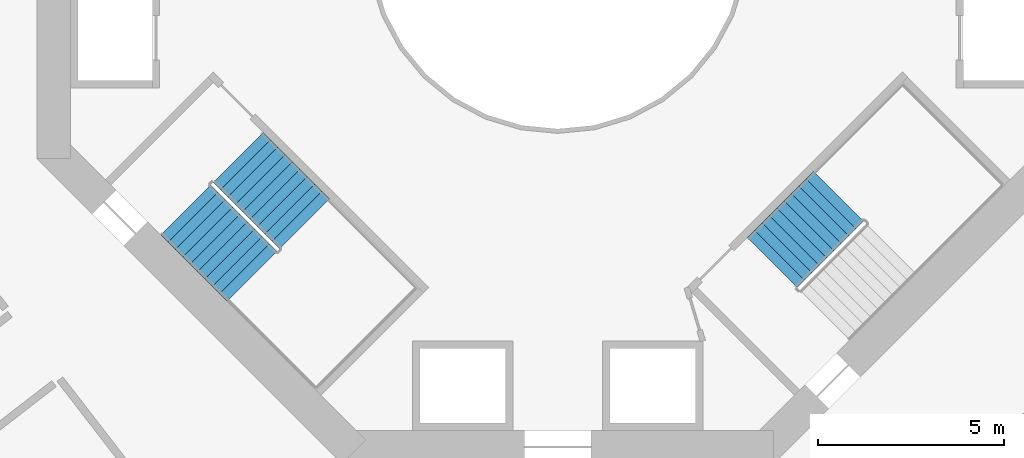
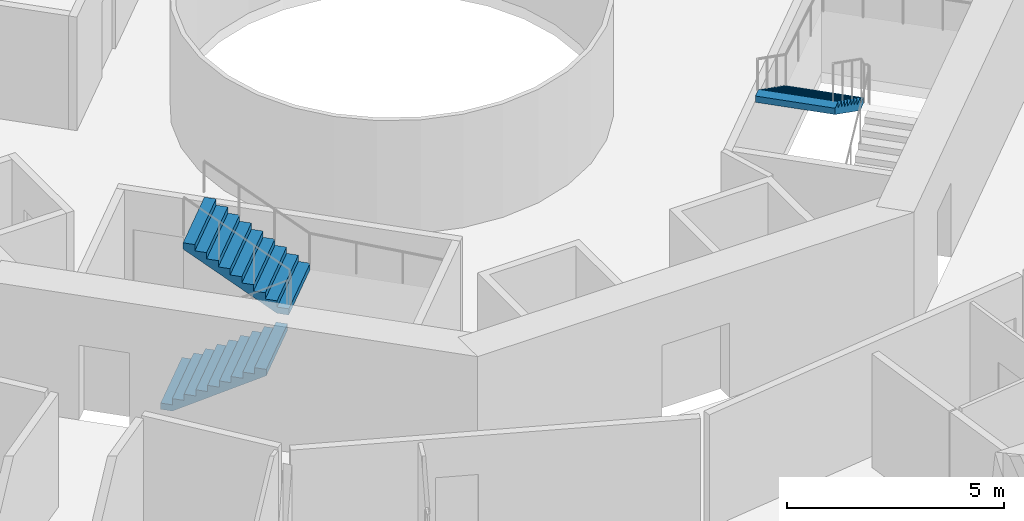
# One storey, part 25 of 27: 3 stair flights, 2 elements without a shape of their own.
"""IFC4 building model written with IfcOpenShell, lengths in metres."""

from ifc_helpers import new_model, si_unit, direction, frame, origin, place, context, subcontext, project, spatial, triangles, material, type_object, element, aggregate, save


model = new_model("IFC4")

# Units and contexts
model_context = context("Model", 3, precision=1e-05, world=origin(), true_north=direction((0.0, 1.0)))
body_context = subcontext(model_context, "Body", "Model", "MODEL_VIEW")
ifc_project = project(units=[si_unit("LENGTHUNIT", "METRE"), si_unit("AREAUNIT", "SQUARE_METRE"), si_unit("VOLUMEUNIT", "CUBIC_METRE"), si_unit("PLANEANGLEUNIT", "RADIAN"), si_unit("MASSUNIT", "GRAM", prefix="KILO")], contexts=[model_context])

# Site, building, storey
site_placement = place(None, origin())
site = spatial("IfcSite", under=ifc_project, at=site_placement, CompositionType="ELEMENT")
building_placement = place(site_placement, origin())
building = spatial("IfcBuilding", under=site, at=building_placement, Name="Verdalira Terraces Hotel", CompositionType="ELEMENT")
storey_placement = place(building_placement, frame((0.0, 0.0, 64.5)))
storey = spatial("IfcBuildingStorey", under=building, at=storey_placement, Name="L14", CompositionType="ELEMENT", Elevation=64.5)

# Stair, stair flights
ifc_material_1 = material(Name="Concrete C40", Category="concrete")
stair_type = type_object("IfcStairType", Name="Core stair 20 risers 1900 mm wide", PredefinedType="HALF_TURN_STAIR", material=ifc_material_1)
stair_1_placement = place(storey_placement, origin())
stair_1 = element("IfcStair", 1, at=stair_1_placement, inside=storey, type_object=stair_type, Name="L14 Exit stair ST2", PredefinedType="HALF_TURN_STAIR")
ifc_material_2 = material(Name="Concrete C40", Category="concrete")
stair_flight_type = type_object("IfcStairFlightType", Name="Core stair flight 20 risers 1900 mm wide", PredefinedType="STRAIGHT", material=ifc_material_2)
stair_flight_1_placement = place(storey_placement, frame((-10.005615, -7.177246, 0.0), z_axis=(0.0, 0.0, 1.0), x_axis=(0.707106781, -0.707106781, 0.0)))
stair_flight_1 = element("IfcStairFlight", 2, at=stair_flight_1_placement, type_object=stair_flight_type, Name="ST2 flight 1", NumberOfRisers=10, NumberOfTreads=9, PredefinedType="STRAIGHT", RiserHeight=0.175, TreadLength=0.28, context=body_context, shape_type="Tessellation", body=[
    triangles([(0.0, 0.949951, 0.0), (0.282715, 0.949951, 0.0), (2.52002, 0.949951, 1.398193), (0.0, -0.949951, 0.0), (0.282715, -0.949951, 0.0), (2.52002, -0.949951, 1.398193), (2.52002, 0.949951, 1.574951), (2.23999, 0.949951, 1.574951), (2.52002, -0.949951, 1.574951), (2.23999, -0.949951, 1.574951), (2.23999, 0.949951, 1.399902), (2.23999, -0.949951, 1.399902), (1.959961, 0.949951, 1.399902), (1.959961, -0.949951, 1.399902), (1.959961, 0.949951, 1.225098), (1.959961, -0.949951, 1.225098), (1.679932, 0.949951, 1.225098), (1.679932, 0.949951, 1.050049), (1.679932, -0.949951, 1.225098), (1.679932, -0.949951, 1.050049), (1.399902, 0.949951, 1.050049), (1.399902, 0.949951, 0.875), (1.399902, -0.949951, 1.050049), (1.399902, -0.949951, 0.875), (1.120117, 0.949951, 0.875), (1.120117, 0.949951, 0.699951), (1.120117, -0.949951, 0.875), (1.120117, -0.949951, 0.699951), (0.840088, 0.949951, 0.699951), (0.840088, 0.949951, 0.524902), (0.840088, -0.949951, 0.699951), (0.840088, -0.949951, 0.524902), (0.560059, 0.949951, 0.524902), (0.560059, 0.949951, 0.350098), (0.560059, -0.949951, 0.524902), (0.560059, -0.949951, 0.350098), (0.280029, 0.949951, 0.350098), (0.280029, 0.949951, 0.175049), (0.280029, -0.949951, 0.350098), (0.280029, -0.949951, 0.175049), (0.0, 0.949951, 0.175049), (0.0, -0.949951, 0.175049), (0.0, -0.890579, 0.0), (0.0, -0.890579, 0.175049), (0.0, -0.831207, 0.0), (0.0, -0.831207, 0.175049), (0.0, -0.771835, 0.0), (0.0, -0.771835, 0.175049), (0.0, -0.712463, 0.0), (0.0, -0.712463, 0.175049), (0.0, -0.653091, 0.0), (0.0, -0.653091, 0.175049), (0.0, -0.593719, 0.0), (0.0, -0.593719, 0.175049), (0.0, -0.534348, 0.0), (0.0, -0.534348, 0.175049), (0.0, -0.474976, 0.0), (0.0, -0.474976, 0.175049), (0.0, -0.415604, 0.0), (0.0, -0.415604, 0.175049), (0.0, -0.356232, 0.0), (0.0, -0.356232, 0.175049), (0.0, -0.29686, 0.0), (0.0, -0.29686, 0.175049), (0.0, -0.237488, 0.0), (0.0, -0.237488, 0.175049), (0.0, -0.178116, 0.0), (0.0, -0.178116, 0.175049), (0.0, -0.118744, 0.0), (0.0, -0.118744, 0.175049), (0.0, -0.059372, 0.0), (0.0, -0.059372, 0.175049), (0.0, 0.0, 0.0), (0.0, 0.0, 0.175049), (0.0, 0.059372, 0.0), (0.0, 0.059372, 0.175049), (0.0, 0.118744, 0.0), (0.0, 0.118744, 0.175049), (0.0, 0.178116, 0.0), (0.0, 0.178116, 0.175049), (0.0, 0.237488, 0.0), (0.0, 0.237488, 0.175049), (0.0, 0.29686, 0.0), (0.0, 0.29686, 0.175049), (0.0, 0.356232, 0.0), (0.0, 0.356232, 0.175049), (0.0, 0.415604, 0.0), (0.0, 0.415604, 0.175049), (0.0, 0.474976, 0.0), (0.0, 0.474976, 0.175049), (0.0, 0.534348, 0.0), (0.0, 0.534348, 0.175049), (0.0, 0.593719, 0.0), (0.0, 0.593719, 0.175049), (0.0, 0.653091, 0.0), (0.0, 0.653091, 0.175049), (0.0, 0.712463, 0.0), (0.0, 0.712463, 0.175049), (0.0, 0.771835, 0.0), (0.0, 0.771835, 0.175049), (0.0, 0.831207, 0.0), (0.0, 0.831207, 0.175049), (0.0, 0.890579, 0.0), (0.0, 0.890579, 0.175049), (2.52002, -0.890579, 1.574951), (2.52002, -0.831207, 1.574951), (2.52002, -0.771835, 1.574951), (2.52002, -0.712463, 1.574951), (2.52002, -0.653091, 1.574951), (2.52002, -0.593719, 1.574951), (2.52002, -0.534348, 1.574951), (2.52002, -0.474976, 1.574951), (2.52002, -0.415604, 1.574951), (2.52002, -0.356232, 1.574951), (2.52002, -0.29686, 1.574951), (2.52002, -0.237488, 1.574951), (2.52002, -0.178116, 1.574951), (2.52002, -0.118744, 1.574951), (2.52002, -0.059372, 1.574951), (2.52002, 0.0, 1.574951), (2.52002, 0.059372, 1.574951), (2.52002, 0.118744, 1.574951), (2.52002, 0.178116, 1.574951), (2.52002, 0.237488, 1.574951), (2.52002, 0.29686, 1.574951), (2.52002, 0.356232, 1.574951), (2.52002, 0.415604, 1.574951), (2.52002, 0.474976, 1.574951), (2.52002, 0.534348, 1.574951), (2.52002, 0.593719, 1.574951), (2.52002, 0.653091, 1.574951), (2.52002, 0.712463, 1.574951), (2.52002, 0.771835, 1.574951), (2.52002, 0.831207, 1.574951), (2.52002, 0.890579, 1.574951), (2.52002, -0.890579, 1.398193), (2.52002, -0.831207, 1.398193), (2.52002, -0.771835, 1.398193), (2.52002, -0.712463, 1.398193), (2.52002, -0.653091, 1.398193), (2.52002, -0.593719, 1.398193), (2.52002, -0.534348, 1.398193), (2.52002, -0.474976, 1.398193), (2.52002, -0.415604, 1.398193), (2.52002, -0.356232, 1.398193), (2.52002, -0.29686, 1.398193), (2.52002, -0.237488, 1.398193), (2.52002, -0.178116, 1.398193), (2.52002, -0.118744, 1.398193), (2.52002, -0.059372, 1.398193), (2.52002, 0.0, 1.398193), (2.52002, 0.059372, 1.398193), (2.52002, 0.118744, 1.398193), (2.52002, 0.178116, 1.398193), (2.52002, 0.237488, 1.398193), (2.52002, 0.29686, 1.398193), (2.52002, 0.356232, 1.398193), (2.52002, 0.415604, 1.398193), (2.52002, 0.474976, 1.398193), (2.52002, 0.534348, 1.398193), (2.52002, 0.593719, 1.398193), (2.52002, 0.653091, 1.398193), (2.52002, 0.712463, 1.398193), (2.52002, 0.771835, 1.398193), (2.52002, 0.831207, 1.398193), (2.52002, 0.890579, 1.398193)], [[1, 3, 2], [4, 5, 6], [3, 8, 7], [6, 9, 10], [3, 11, 8], [6, 10, 12], [3, 13, 11], [6, 12, 14], [3, 15, 13], [6, 14, 16], [15, 18, 17], [16, 19, 20], [3, 18, 15], [6, 16, 20], [18, 22, 21], [20, 23, 24], [3, 22, 18], [6, 20, 24], [22, 26, 25], [24, 27, 28], [3, 26, 22], [6, 24, 28], [26, 30, 29], [28, 31, 32], [3, 30, 26], [6, 28, 32], [1, 30, 3], [4, 6, 32], [30, 34, 33], [32, 35, 36], [34, 38, 37], [36, 39, 40], [30, 38, 34], [32, 36, 40], [1, 38, 30], [4, 32, 40], [38, 1, 41], [40, 42, 4], [4, 44, 43], [4, 42, 44], [43, 46, 45], [43, 44, 46], [45, 48, 47], [45, 46, 48], [47, 50, 49], [47, 48, 50], [49, 52, 51], [49, 50, 52], [51, 54, 53], [51, 52, 54], [53, 56, 55], [53, 54, 56], [55, 58, 57], [55, 56, 58], [57, 60, 59], [57, 58, 60], [59, 62, 61], [59, 60, 62], [61, 64, 63], [61, 62, 64], [63, 66, 65], [63, 64, 66], [65, 68, 67], [65, 66, 68], [67, 70, 69], [67, 68, 70], [69, 72, 71], [69, 70, 72], [71, 74, 73], [71, 72, 74], [73, 76, 75], [73, 74, 76], [75, 78, 77], [75, 76, 78], [77, 80, 79], [77, 78, 80], [79, 82, 81], [79, 80, 82], [81, 84, 83], [81, 82, 84], [83, 86, 85], [83, 84, 86], [85, 88, 87], [85, 86, 88], [87, 90, 89], [87, 88, 90], [89, 92, 91], [89, 90, 92], [91, 94, 93], [91, 92, 94], [93, 96, 95], [93, 94, 96], [95, 98, 97], [95, 96, 98], [97, 100, 99], [97, 98, 100], [99, 102, 101], [99, 100, 102], [101, 104, 103], [101, 102, 104], [103, 41, 1], [103, 104, 41], [42, 40, 44], [44, 40, 46], [46, 40, 48], [48, 40, 50], [50, 40, 52], [52, 40, 54], [54, 40, 56], [56, 40, 58], [58, 40, 60], [60, 40, 62], [62, 40, 64], [64, 40, 66], [66, 40, 68], [68, 40, 70], [70, 40, 72], [72, 40, 74], [74, 40, 76], [76, 40, 78], [78, 40, 80], [80, 40, 82], [82, 40, 84], [84, 40, 86], [86, 40, 88], [88, 40, 90], [90, 40, 92], [92, 40, 94], [94, 40, 96], [96, 40, 98], [98, 40, 100], [100, 40, 102], [102, 40, 104], [104, 40, 41], [41, 40, 38], [40, 37, 38], [40, 39, 37], [39, 34, 37], [39, 36, 34], [36, 33, 34], [36, 35, 33], [35, 30, 33], [35, 32, 30], [32, 29, 30], [32, 31, 29], [31, 26, 29], [31, 28, 26], [28, 25, 26], [28, 27, 25], [27, 22, 25], [27, 24, 22], [24, 21, 22], [24, 23, 21], [23, 18, 21], [23, 20, 18], [20, 17, 18], [20, 19, 17], [19, 15, 17], [19, 16, 15], [16, 13, 15], [16, 14, 13], [14, 11, 13], [14, 12, 11], [12, 8, 11], [12, 10, 8], [9, 105, 10], [105, 106, 10], [106, 107, 10], [107, 108, 10], [108, 109, 10], [109, 110, 10], [110, 111, 10], [111, 112, 10], [112, 113, 10], [113, 114, 10], [114, 115, 10], [115, 116, 10], [116, 117, 10], [117, 118, 10], [118, 119, 10], [119, 120, 10], [120, 121, 10], [121, 122, 10], [122, 123, 10], [123, 124, 10], [124, 125, 10], [125, 126, 10], [126, 127, 10], [127, 128, 10], [128, 129, 10], [129, 130, 10], [130, 131, 10], [131, 132, 10], [132, 133, 10], [133, 134, 10], [134, 135, 10], [135, 7, 10], [7, 8, 10], [9, 136, 105], [9, 6, 136], [105, 137, 106], [105, 136, 137], [106, 138, 107], [106, 137, 138], [107, 139, 108], [107, 138, 139], [108, 140, 109], [108, 139, 140], [109, 141, 110], [109, 140, 141], [110, 142, 111], [110, 141, 142], [111, 143, 112], [111, 142, 143], [112, 144, 113], [112, 143, 144], [113, 145, 114], [113, 144, 145], [114, 146, 115], [114, 145, 146], [115, 147, 116], [115, 146, 147], [116, 148, 117], [116, 147, 148], [117, 149, 118], [117, 148, 149], [118, 150, 119], [118, 149, 150], [119, 151, 120], [119, 150, 151], [120, 152, 121], [120, 151, 152], [121, 153, 122], [121, 152, 153], [122, 154, 123], [122, 153, 154], [123, 155, 124], [123, 154, 155], [124, 156, 125], [124, 155, 156], [125, 157, 126], [125, 156, 157], [126, 158, 127], [126, 157, 158], [127, 159, 128], [127, 158, 159], [128, 160, 129], [128, 159, 160], [129, 161, 130], [129, 160, 161], [130, 162, 131], [130, 161, 162], [131, 163, 132], [131, 162, 163], [132, 164, 133], [132, 163, 164], [133, 165, 134], [133, 164, 165], [134, 166, 135], [134, 165, 166], [135, 3, 7], [135, 166, 3], [6, 5, 136], [136, 5, 137], [137, 5, 138], [138, 5, 139], [139, 5, 140], [140, 5, 141], [141, 5, 142], [142, 5, 143], [143, 5, 144], [144, 5, 145], [145, 5, 146], [146, 5, 147], [147, 5, 148], [148, 5, 149], [149, 5, 150], [150, 5, 151], [151, 5, 152], [152, 5, 153], [153, 5, 154], [154, 5, 155], [155, 5, 156], [156, 5, 157], [157, 5, 158], [158, 5, 159], [159, 5, 160], [160, 5, 161], [161, 5, 162], [162, 5, 163], [163, 5, 164], [164, 5, 165], [165, 5, 166], [166, 5, 3], [3, 5, 2], [4, 43, 5], [43, 45, 5], [45, 47, 5], [47, 49, 5], [49, 51, 5], [51, 53, 5], [53, 55, 5], [55, 57, 5], [57, 59, 5], [59, 61, 5], [61, 63, 5], [63, 65, 5], [65, 67, 5], [67, 69, 5], [69, 71, 5], [71, 73, 5], [73, 75, 5], [75, 77, 5], [77, 79, 5], [79, 81, 5], [81, 83, 5], [83, 85, 5], [85, 87, 5], [87, 89, 5], [89, 91, 5], [91, 93, 5], [93, 95, 5], [95, 97, 5], [97, 99, 5], [99, 101, 5], [101, 103, 5], [103, 1, 5], [1, 2, 5]], closed=True),
])
stair_flight_2_placement = place(storey_placement, frame((-6.809326, -7.544922, 1.75), z_axis=(0.0, 0.0, 1.0), x_axis=(-0.707106781, 0.707106781, 0.0)))
stair_flight_2 = element("IfcStairFlight", 3, at=stair_flight_2_placement, type_object=stair_flight_type, Name="ST2 flight 2", NumberOfRisers=10, NumberOfTreads=9, PredefinedType="STRAIGHT", RiserHeight=0.175, TreadLength=0.28, context=body_context, shape_type="Tessellation", body=[
    triangles([(0.0, 0.949951, 0.0), (0.282715, 0.949951, 0.0), (2.52002, 0.949951, 1.398193), (0.0, -0.949951, 0.0), (0.282715, -0.949951, 0.0), (2.52002, -0.949951, 1.398193), (2.52002, 0.949951, 1.574951), (2.23999, 0.949951, 1.574951), (2.52002, -0.949951, 1.574951), (2.23999, -0.949951, 1.574951), (2.23999, 0.949951, 1.399902), (2.23999, -0.949951, 1.399902), (1.959961, 0.949951, 1.399902), (1.959961, -0.949951, 1.399902), (1.959961, 0.949951, 1.225098), (1.959961, -0.949951, 1.225098), (1.679932, 0.949951, 1.225098), (1.679932, 0.949951, 1.050049), (1.679932, -0.949951, 1.225098), (1.679932, -0.949951, 1.050049), (1.399902, 0.949951, 1.050049), (1.399902, 0.949951, 0.875), (1.399902, -0.949951, 1.050049), (1.399902, -0.949951, 0.875), (1.120117, 0.949951, 0.875), (1.120117, 0.949951, 0.699951), (1.120117, -0.949951, 0.875), (1.120117, -0.949951, 0.699951), (0.840088, 0.949951, 0.699951), (0.840088, 0.949951, 0.524902), (0.840088, -0.949951, 0.699951), (0.840088, -0.949951, 0.524902), (0.560059, 0.949951, 0.524902), (0.560059, 0.949951, 0.350098), (0.560059, -0.949951, 0.524902), (0.560059, -0.949951, 0.350098), (0.280029, 0.949951, 0.350098), (0.280029, 0.949951, 0.175049), (0.280029, -0.949951, 0.350098), (0.280029, -0.949951, 0.175049), (0.0, 0.949951, 0.175049), (0.0, -0.949951, 0.175049), (0.0, -0.890579, 0.0), (0.0, -0.890579, 0.175049), (0.0, -0.831207, 0.0), (0.0, -0.831207, 0.175049), (0.0, -0.771835, 0.0), (0.0, -0.771835, 0.175049), (0.0, -0.712463, 0.0), (0.0, -0.712463, 0.175049), (0.0, -0.653091, 0.0), (0.0, -0.653091, 0.175049), (0.0, -0.593719, 0.0), (0.0, -0.593719, 0.175049), (0.0, -0.534348, 0.0), (0.0, -0.534348, 0.175049), (0.0, -0.474976, 0.0), (0.0, -0.474976, 0.175049), (0.0, -0.415604, 0.0), (0.0, -0.415604, 0.175049), (0.0, -0.356232, 0.0), (0.0, -0.356232, 0.175049), (0.0, -0.29686, 0.0), (0.0, -0.29686, 0.175049), (0.0, -0.237488, 0.0), (0.0, -0.237488, 0.175049), (0.0, -0.178116, 0.0), (0.0, -0.178116, 0.175049), (0.0, -0.118744, 0.0), (0.0, -0.118744, 0.175049), (0.0, -0.059372, 0.0), (0.0, -0.059372, 0.175049), (0.0, 0.0, 0.0), (0.0, 0.0, 0.175049), (0.0, 0.059372, 0.0), (0.0, 0.059372, 0.175049), (0.0, 0.118744, 0.0), (0.0, 0.118744, 0.175049), (0.0, 0.178116, 0.0), (0.0, 0.178116, 0.175049), (0.0, 0.237488, 0.0), (0.0, 0.237488, 0.175049), (0.0, 0.29686, 0.0), (0.0, 0.29686, 0.175049), (0.0, 0.356232, 0.0), (0.0, 0.356232, 0.175049), (0.0, 0.415604, 0.0), (0.0, 0.415604, 0.175049), (0.0, 0.474976, 0.0), (0.0, 0.474976, 0.175049), (0.0, 0.534348, 0.0), (0.0, 0.534348, 0.175049), (0.0, 0.593719, 0.0), (0.0, 0.593719, 0.175049), (0.0, 0.653091, 0.0), (0.0, 0.653091, 0.175049), (0.0, 0.712463, 0.0), (0.0, 0.712463, 0.175049), (0.0, 0.771835, 0.0), (0.0, 0.771835, 0.175049), (0.0, 0.831207, 0.0), (0.0, 0.831207, 0.175049), (0.0, 0.890579, 0.0), (0.0, 0.890579, 0.175049), (2.52002, -0.890579, 1.574951), (2.52002, -0.831207, 1.574951), (2.52002, -0.771835, 1.574951), (2.52002, -0.712463, 1.574951), (2.52002, -0.653091, 1.574951), (2.52002, -0.593719, 1.574951), (2.52002, -0.534348, 1.574951), (2.52002, -0.474976, 1.574951), (2.52002, -0.415604, 1.574951), (2.52002, -0.356232, 1.574951), (2.52002, -0.29686, 1.574951), (2.52002, -0.237488, 1.574951), (2.52002, -0.178116, 1.574951), (2.52002, -0.118744, 1.574951), (2.52002, -0.059372, 1.574951), (2.52002, 0.0, 1.574951), (2.52002, 0.059372, 1.574951), (2.52002, 0.118744, 1.574951), (2.52002, 0.178116, 1.574951), (2.52002, 0.237488, 1.574951), (2.52002, 0.29686, 1.574951), (2.52002, 0.356232, 1.574951), (2.52002, 0.415604, 1.574951), (2.52002, 0.474976, 1.574951), (2.52002, 0.534348, 1.574951), (2.52002, 0.593719, 1.574951), (2.52002, 0.653091, 1.574951), (2.52002, 0.712463, 1.574951), (2.52002, 0.771835, 1.574951), (2.52002, 0.831207, 1.574951), (2.52002, 0.890579, 1.574951), (2.52002, -0.890579, 1.398193), (2.52002, -0.831207, 1.398193), (2.52002, -0.771835, 1.398193), (2.52002, -0.712463, 1.398193), (2.52002, -0.653091, 1.398193), (2.52002, -0.593719, 1.398193), (2.52002, -0.534348, 1.398193), (2.52002, -0.474976, 1.398193), (2.52002, -0.415604, 1.398193), (2.52002, -0.356232, 1.398193), (2.52002, -0.29686, 1.398193), (2.52002, -0.237488, 1.398193), (2.52002, -0.178116, 1.398193), (2.52002, -0.118744, 1.398193), (2.52002, -0.059372, 1.398193), (2.52002, 0.0, 1.398193), (2.52002, 0.059372, 1.398193), (2.52002, 0.118744, 1.398193), (2.52002, 0.178116, 1.398193), (2.52002, 0.237488, 1.398193), (2.52002, 0.29686, 1.398193), (2.52002, 0.356232, 1.398193), (2.52002, 0.415604, 1.398193), (2.52002, 0.474976, 1.398193), (2.52002, 0.534348, 1.398193), (2.52002, 0.593719, 1.398193), (2.52002, 0.653091, 1.398193), (2.52002, 0.712463, 1.398193), (2.52002, 0.771835, 1.398193), (2.52002, 0.831207, 1.398193), (2.52002, 0.890579, 1.398193)], [[1, 3, 2], [4, 5, 6], [3, 8, 7], [6, 9, 10], [3, 11, 8], [6, 10, 12], [3, 13, 11], [6, 12, 14], [3, 15, 13], [6, 14, 16], [15, 18, 17], [16, 19, 20], [3, 18, 15], [6, 16, 20], [18, 22, 21], [20, 23, 24], [3, 22, 18], [6, 20, 24], [22, 26, 25], [24, 27, 28], [3, 26, 22], [6, 24, 28], [26, 30, 29], [28, 31, 32], [3, 30, 26], [6, 28, 32], [1, 30, 3], [4, 6, 32], [30, 34, 33], [32, 35, 36], [34, 38, 37], [36, 39, 40], [30, 38, 34], [32, 36, 40], [1, 38, 30], [4, 32, 40], [38, 1, 41], [40, 42, 4], [4, 44, 43], [4, 42, 44], [43, 46, 45], [43, 44, 46], [45, 48, 47], [45, 46, 48], [47, 50, 49], [47, 48, 50], [49, 52, 51], [49, 50, 52], [51, 54, 53], [51, 52, 54], [53, 56, 55], [53, 54, 56], [55, 58, 57], [55, 56, 58], [57, 60, 59], [57, 58, 60], [59, 62, 61], [59, 60, 62], [61, 64, 63], [61, 62, 64], [63, 66, 65], [63, 64, 66], [65, 68, 67], [65, 66, 68], [67, 70, 69], [67, 68, 70], [69, 72, 71], [69, 70, 72], [71, 74, 73], [71, 72, 74], [73, 76, 75], [73, 74, 76], [75, 78, 77], [75, 76, 78], [77, 80, 79], [77, 78, 80], [79, 82, 81], [79, 80, 82], [81, 84, 83], [81, 82, 84], [83, 86, 85], [83, 84, 86], [85, 88, 87], [85, 86, 88], [87, 90, 89], [87, 88, 90], [89, 92, 91], [89, 90, 92], [91, 94, 93], [91, 92, 94], [93, 96, 95], [93, 94, 96], [95, 98, 97], [95, 96, 98], [97, 100, 99], [97, 98, 100], [99, 102, 101], [99, 100, 102], [101, 104, 103], [101, 102, 104], [103, 41, 1], [103, 104, 41], [42, 40, 44], [44, 40, 46], [46, 40, 48], [48, 40, 50], [50, 40, 52], [52, 40, 54], [54, 40, 56], [56, 40, 58], [58, 40, 60], [60, 40, 62], [62, 40, 64], [64, 40, 66], [66, 40, 68], [68, 40, 70], [70, 40, 72], [72, 40, 74], [74, 40, 76], [76, 40, 78], [78, 40, 80], [80, 40, 82], [82, 40, 84], [84, 40, 86], [86, 40, 88], [88, 40, 90], [90, 40, 92], [92, 40, 94], [94, 40, 96], [96, 40, 98], [98, 40, 100], [100, 40, 102], [102, 40, 104], [104, 40, 41], [41, 40, 38], [40, 37, 38], [40, 39, 37], [39, 34, 37], [39, 36, 34], [36, 33, 34], [36, 35, 33], [35, 30, 33], [35, 32, 30], [32, 29, 30], [32, 31, 29], [31, 26, 29], [31, 28, 26], [28, 25, 26], [28, 27, 25], [27, 22, 25], [27, 24, 22], [24, 21, 22], [24, 23, 21], [23, 18, 21], [23, 20, 18], [20, 17, 18], [20, 19, 17], [19, 15, 17], [19, 16, 15], [16, 13, 15], [16, 14, 13], [14, 11, 13], [14, 12, 11], [12, 8, 11], [12, 10, 8], [9, 105, 10], [105, 106, 10], [106, 107, 10], [107, 108, 10], [108, 109, 10], [109, 110, 10], [110, 111, 10], [111, 112, 10], [112, 113, 10], [113, 114, 10], [114, 115, 10], [115, 116, 10], [116, 117, 10], [117, 118, 10], [118, 119, 10], [119, 120, 10], [120, 121, 10], [121, 122, 10], [122, 123, 10], [123, 124, 10], [124, 125, 10], [125, 126, 10], [126, 127, 10], [127, 128, 10], [128, 129, 10], [129, 130, 10], [130, 131, 10], [131, 132, 10], [132, 133, 10], [133, 134, 10], [134, 135, 10], [135, 7, 10], [7, 8, 10], [9, 136, 105], [9, 6, 136], [105, 137, 106], [105, 136, 137], [106, 138, 107], [106, 137, 138], [107, 139, 108], [107, 138, 139], [108, 140, 109], [108, 139, 140], [109, 141, 110], [109, 140, 141], [110, 142, 111], [110, 141, 142], [111, 143, 112], [111, 142, 143], [112, 144, 113], [112, 143, 144], [113, 145, 114], [113, 144, 145], [114, 146, 115], [114, 145, 146], [115, 147, 116], [115, 146, 147], [116, 148, 117], [116, 147, 148], [117, 149, 118], [117, 148, 149], [118, 150, 119], [118, 149, 150], [119, 151, 120], [119, 150, 151], [120, 152, 121], [120, 151, 152], [121, 153, 122], [121, 152, 153], [122, 154, 123], [122, 153, 154], [123, 155, 124], [123, 154, 155], [124, 156, 125], [124, 155, 156], [125, 157, 126], [125, 156, 157], [126, 158, 127], [126, 157, 158], [127, 159, 128], [127, 158, 159], [128, 160, 129], [128, 159, 160], [129, 161, 130], [129, 160, 161], [130, 162, 131], [130, 161, 162], [131, 163, 132], [131, 162, 163], [132, 164, 133], [132, 163, 164], [133, 165, 134], [133, 164, 165], [134, 166, 135], [134, 165, 166], [135, 3, 7], [135, 166, 3], [6, 5, 136], [136, 5, 137], [137, 5, 138], [138, 5, 139], [139, 5, 140], [140, 5, 141], [141, 5, 142], [142, 5, 143], [143, 5, 144], [144, 5, 145], [145, 5, 146], [146, 5, 147], [147, 5, 148], [148, 5, 149], [149, 5, 150], [150, 5, 151], [151, 5, 152], [152, 5, 153], [153, 5, 154], [154, 5, 155], [155, 5, 156], [156, 5, 157], [157, 5, 158], [158, 5, 159], [159, 5, 160], [160, 5, 161], [161, 5, 162], [162, 5, 163], [163, 5, 164], [164, 5, 165], [165, 5, 166], [166, 5, 3], [3, 5, 2], [4, 43, 5], [43, 45, 5], [45, 47, 5], [47, 49, 5], [49, 51, 5], [51, 53, 5], [53, 55, 5], [55, 57, 5], [57, 59, 5], [59, 61, 5], [61, 63, 5], [63, 65, 5], [65, 67, 5], [67, 69, 5], [69, 71, 5], [71, 73, 5], [73, 75, 5], [75, 77, 5], [77, 79, 5], [79, 81, 5], [81, 83, 5], [83, 85, 5], [85, 87, 5], [87, 89, 5], [89, 91, 5], [91, 93, 5], [93, 95, 5], [95, 97, 5], [97, 99, 5], [99, 101, 5], [101, 103, 5], [103, 1, 5], [1, 2, 5]], closed=True),
])
aggregate(stair_1, [stair_flight_1, stair_flight_2])

# Stair, stair flight
stair_2_placement = place(storey_placement, origin())
stair_2 = element("IfcStair", 4, at=stair_2_placement, inside=storey, type_object=stair_type, Name="L14 Exit stair ST3", PredefinedType="HALF_TURN_STAIR")
stair_flight_3_placement = place(storey_placement, frame((7.544922, -6.809326, 1.75), z_axis=(0.0, 0.0, 1.0), x_axis=(-0.707106781, -0.707106781, 0.0)))
stair_flight_3 = element("IfcStairFlight", 5, at=stair_flight_3_placement, type_object=stair_flight_type, Name="ST3 flight 2", NumberOfRisers=10, NumberOfTreads=9, PredefinedType="STRAIGHT", RiserHeight=0.175, TreadLength=0.28, context=body_context, shape_type="Tessellation", body=[
    triangles([(0.0, 0.949951, 0.0), (0.282715, 0.949951, 0.0), (2.52002, 0.949951, 1.398193), (0.0, -0.949951, 0.0), (0.282715, -0.949951, 0.0), (2.52002, -0.949951, 1.398193), (2.52002, 0.949951, 1.574951), (2.23999, 0.949951, 1.574951), (2.52002, -0.949951, 1.574951), (2.23999, -0.949951, 1.574951), (2.23999, 0.949951, 1.399902), (2.23999, -0.949951, 1.399902), (1.959961, 0.949951, 1.399902), (1.959961, -0.949951, 1.399902), (1.959961, 0.949951, 1.225098), (1.959961, -0.949951, 1.225098), (1.679932, 0.949951, 1.225098), (1.679932, 0.949951, 1.050049), (1.679932, -0.949951, 1.225098), (1.679932, -0.949951, 1.050049), (1.399902, 0.949951, 1.050049), (1.399902, 0.949951, 0.875), (1.399902, -0.949951, 1.050049), (1.399902, -0.949951, 0.875), (1.120117, 0.949951, 0.875), (1.120117, 0.949951, 0.699951), (1.120117, -0.949951, 0.875), (1.120117, -0.949951, 0.699951), (0.840088, 0.949951, 0.699951), (0.840088, 0.949951, 0.524902), (0.840088, -0.949951, 0.699951), (0.840088, -0.949951, 0.524902), (0.560059, 0.949951, 0.524902), (0.560059, 0.949951, 0.350098), (0.560059, -0.949951, 0.524902), (0.560059, -0.949951, 0.350098), (0.280029, 0.949951, 0.350098), (0.280029, 0.949951, 0.175049), (0.280029, -0.949951, 0.350098), (0.280029, -0.949951, 0.175049), (0.0, 0.949951, 0.175049), (0.0, -0.949951, 0.175049), (0.0, -0.890579, 0.0), (0.0, -0.890579, 0.175049), (0.0, -0.831207, 0.0), (0.0, -0.831207, 0.175049), (0.0, -0.771835, 0.0), (0.0, -0.771835, 0.175049), (0.0, -0.712463, 0.0), (0.0, -0.712463, 0.175049), (0.0, -0.653091, 0.0), (0.0, -0.653091, 0.175049), (0.0, -0.593719, 0.0), (0.0, -0.593719, 0.175049), (0.0, -0.534348, 0.0), (0.0, -0.534348, 0.175049), (0.0, -0.474976, 0.0), (0.0, -0.474976, 0.175049), (0.0, -0.415604, 0.0), (0.0, -0.415604, 0.175049), (0.0, -0.356232, 0.0), (0.0, -0.356232, 0.175049), (0.0, -0.29686, 0.0), (0.0, -0.29686, 0.175049), (0.0, -0.237488, 0.0), (0.0, -0.237488, 0.175049), (0.0, -0.178116, 0.0), (0.0, -0.178116, 0.175049), (0.0, -0.118744, 0.0), (0.0, -0.118744, 0.175049), (0.0, -0.059372, 0.0), (0.0, -0.059372, 0.175049), (0.0, 0.0, 0.0), (0.0, 0.0, 0.175049), (0.0, 0.059372, 0.0), (0.0, 0.059372, 0.175049), (0.0, 0.118744, 0.0), (0.0, 0.118744, 0.175049), (0.0, 0.178116, 0.0), (0.0, 0.178116, 0.175049), (0.0, 0.237488, 0.0), (0.0, 0.237488, 0.175049), (0.0, 0.29686, 0.0), (0.0, 0.29686, 0.175049), (0.0, 0.356232, 0.0), (0.0, 0.356232, 0.175049), (0.0, 0.415604, 0.0), (0.0, 0.415604, 0.175049), (0.0, 0.474976, 0.0), (0.0, 0.474976, 0.175049), (0.0, 0.534348, 0.0), (0.0, 0.534348, 0.175049), (0.0, 0.593719, 0.0), (0.0, 0.593719, 0.175049), (0.0, 0.653091, 0.0), (0.0, 0.653091, 0.175049), (0.0, 0.712463, 0.0), (0.0, 0.712463, 0.175049), (0.0, 0.771835, 0.0), (0.0, 0.771835, 0.175049), (0.0, 0.831207, 0.0), (0.0, 0.831207, 0.175049), (0.0, 0.890579, 0.0), (0.0, 0.890579, 0.175049), (2.52002, -0.890579, 1.574951), (2.52002, -0.831207, 1.574951), (2.52002, -0.771835, 1.574951), (2.52002, -0.712463, 1.574951), (2.52002, -0.653091, 1.574951), (2.52002, -0.593719, 1.574951), (2.52002, -0.534348, 1.574951), (2.52002, -0.474976, 1.574951), (2.52002, -0.415604, 1.574951), (2.52002, -0.356232, 1.574951), (2.52002, -0.29686, 1.574951), (2.52002, -0.237488, 1.574951), (2.52002, -0.178116, 1.574951), (2.52002, -0.118744, 1.574951), (2.52002, -0.059372, 1.574951), (2.52002, 0.0, 1.574951), (2.52002, 0.059372, 1.574951), (2.52002, 0.118744, 1.574951), (2.52002, 0.178116, 1.574951), (2.52002, 0.237488, 1.574951), (2.52002, 0.29686, 1.574951), (2.52002, 0.356232, 1.574951), (2.52002, 0.415604, 1.574951), (2.52002, 0.474976, 1.574951), (2.52002, 0.534348, 1.574951), (2.52002, 0.593719, 1.574951), (2.52002, 0.653091, 1.574951), (2.52002, 0.712463, 1.574951), (2.52002, 0.771835, 1.574951), (2.52002, 0.831207, 1.574951), (2.52002, 0.890579, 1.574951), (2.52002, -0.890579, 1.398193), (2.52002, -0.831207, 1.398193), (2.52002, -0.771835, 1.398193), (2.52002, -0.712463, 1.398193), (2.52002, -0.653091, 1.398193), (2.52002, -0.593719, 1.398193), (2.52002, -0.534348, 1.398193), (2.52002, -0.474976, 1.398193), (2.52002, -0.415604, 1.398193), (2.52002, -0.356232, 1.398193), (2.52002, -0.29686, 1.398193), (2.52002, -0.237488, 1.398193), (2.52002, -0.178116, 1.398193), (2.52002, -0.118744, 1.398193), (2.52002, -0.059372, 1.398193), (2.52002, 0.0, 1.398193), (2.52002, 0.059372, 1.398193), (2.52002, 0.118744, 1.398193), (2.52002, 0.178116, 1.398193), (2.52002, 0.237488, 1.398193), (2.52002, 0.29686, 1.398193), (2.52002, 0.356232, 1.398193), (2.52002, 0.415604, 1.398193), (2.52002, 0.474976, 1.398193), (2.52002, 0.534348, 1.398193), (2.52002, 0.593719, 1.398193), (2.52002, 0.653091, 1.398193), (2.52002, 0.712463, 1.398193), (2.52002, 0.771835, 1.398193), (2.52002, 0.831207, 1.398193), (2.52002, 0.890579, 1.398193)], [[1, 3, 2], [4, 5, 6], [3, 8, 7], [6, 9, 10], [3, 11, 8], [6, 10, 12], [3, 13, 11], [6, 12, 14], [3, 15, 13], [6, 14, 16], [15, 18, 17], [16, 19, 20], [3, 18, 15], [6, 16, 20], [18, 22, 21], [20, 23, 24], [3, 22, 18], [6, 20, 24], [22, 26, 25], [24, 27, 28], [3, 26, 22], [6, 24, 28], [26, 30, 29], [28, 31, 32], [3, 30, 26], [6, 28, 32], [1, 30, 3], [4, 6, 32], [30, 34, 33], [32, 35, 36], [34, 38, 37], [36, 39, 40], [30, 38, 34], [32, 36, 40], [1, 38, 30], [4, 32, 40], [38, 1, 41], [40, 42, 4], [4, 44, 43], [4, 42, 44], [43, 46, 45], [43, 44, 46], [45, 48, 47], [45, 46, 48], [47, 50, 49], [47, 48, 50], [49, 52, 51], [49, 50, 52], [51, 54, 53], [51, 52, 54], [53, 56, 55], [53, 54, 56], [55, 58, 57], [55, 56, 58], [57, 60, 59], [57, 58, 60], [59, 62, 61], [59, 60, 62], [61, 64, 63], [61, 62, 64], [63, 66, 65], [63, 64, 66], [65, 68, 67], [65, 66, 68], [67, 70, 69], [67, 68, 70], [69, 72, 71], [69, 70, 72], [71, 74, 73], [71, 72, 74], [73, 76, 75], [73, 74, 76], [75, 78, 77], [75, 76, 78], [77, 80, 79], [77, 78, 80], [79, 82, 81], [79, 80, 82], [81, 84, 83], [81, 82, 84], [83, 86, 85], [83, 84, 86], [85, 88, 87], [85, 86, 88], [87, 90, 89], [87, 88, 90], [89, 92, 91], [89, 90, 92], [91, 94, 93], [91, 92, 94], [93, 96, 95], [93, 94, 96], [95, 98, 97], [95, 96, 98], [97, 100, 99], [97, 98, 100], [99, 102, 101], [99, 100, 102], [101, 104, 103], [101, 102, 104], [103, 41, 1], [103, 104, 41], [42, 40, 44], [44, 40, 46], [46, 40, 48], [48, 40, 50], [50, 40, 52], [52, 40, 54], [54, 40, 56], [56, 40, 58], [58, 40, 60], [60, 40, 62], [62, 40, 64], [64, 40, 66], [66, 40, 68], [68, 40, 70], [70, 40, 72], [72, 40, 74], [74, 40, 76], [76, 40, 78], [78, 40, 80], [80, 40, 82], [82, 40, 84], [84, 40, 86], [86, 40, 88], [88, 40, 90], [90, 40, 92], [92, 40, 94], [94, 40, 96], [96, 40, 98], [98, 40, 100], [100, 40, 102], [102, 40, 104], [104, 40, 41], [41, 40, 38], [40, 37, 38], [40, 39, 37], [39, 34, 37], [39, 36, 34], [36, 33, 34], [36, 35, 33], [35, 30, 33], [35, 32, 30], [32, 29, 30], [32, 31, 29], [31, 26, 29], [31, 28, 26], [28, 25, 26], [28, 27, 25], [27, 22, 25], [27, 24, 22], [24, 21, 22], [24, 23, 21], [23, 18, 21], [23, 20, 18], [20, 17, 18], [20, 19, 17], [19, 15, 17], [19, 16, 15], [16, 13, 15], [16, 14, 13], [14, 11, 13], [14, 12, 11], [12, 8, 11], [12, 10, 8], [9, 105, 10], [105, 106, 10], [106, 107, 10], [107, 108, 10], [108, 109, 10], [109, 110, 10], [110, 111, 10], [111, 112, 10], [112, 113, 10], [113, 114, 10], [114, 115, 10], [115, 116, 10], [116, 117, 10], [117, 118, 10], [118, 119, 10], [119, 120, 10], [120, 121, 10], [121, 122, 10], [122, 123, 10], [123, 124, 10], [124, 125, 10], [125, 126, 10], [126, 127, 10], [127, 128, 10], [128, 129, 10], [129, 130, 10], [130, 131, 10], [131, 132, 10], [132, 133, 10], [133, 134, 10], [134, 135, 10], [135, 7, 10], [7, 8, 10], [9, 136, 105], [9, 6, 136], [105, 137, 106], [105, 136, 137], [106, 138, 107], [106, 137, 138], [107, 139, 108], [107, 138, 139], [108, 140, 109], [108, 139, 140], [109, 141, 110], [109, 140, 141], [110, 142, 111], [110, 141, 142], [111, 143, 112], [111, 142, 143], [112, 144, 113], [112, 143, 144], [113, 145, 114], [113, 144, 145], [114, 146, 115], [114, 145, 146], [115, 147, 116], [115, 146, 147], [116, 148, 117], [116, 147, 148], [117, 149, 118], [117, 148, 149], [118, 150, 119], [118, 149, 150], [119, 151, 120], [119, 150, 151], [120, 152, 121], [120, 151, 152], [121, 153, 122], [121, 152, 153], [122, 154, 123], [122, 153, 154], [123, 155, 124], [123, 154, 155], [124, 156, 125], [124, 155, 156], [125, 157, 126], [125, 156, 157], [126, 158, 127], [126, 157, 158], [127, 159, 128], [127, 158, 159], [128, 160, 129], [128, 159, 160], [129, 161, 130], [129, 160, 161], [130, 162, 131], [130, 161, 162], [131, 163, 132], [131, 162, 163], [132, 164, 133], [132, 163, 164], [133, 165, 134], [133, 164, 165], [134, 166, 135], [134, 165, 166], [135, 3, 7], [135, 166, 3], [6, 5, 136], [136, 5, 137], [137, 5, 138], [138, 5, 139], [139, 5, 140], [140, 5, 141], [141, 5, 142], [142, 5, 143], [143, 5, 144], [144, 5, 145], [145, 5, 146], [146, 5, 147], [147, 5, 148], [148, 5, 149], [149, 5, 150], [150, 5, 151], [151, 5, 152], [152, 5, 153], [153, 5, 154], [154, 5, 155], [155, 5, 156], [156, 5, 157], [157, 5, 158], [158, 5, 159], [159, 5, 160], [160, 5, 161], [161, 5, 162], [162, 5, 163], [163, 5, 164], [164, 5, 165], [165, 5, 166], [166, 5, 3], [3, 5, 2], [4, 43, 5], [43, 45, 5], [45, 47, 5], [47, 49, 5], [49, 51, 5], [51, 53, 5], [53, 55, 5], [55, 57, 5], [57, 59, 5], [59, 61, 5], [61, 63, 5], [63, 65, 5], [65, 67, 5], [67, 69, 5], [69, 71, 5], [71, 73, 5], [73, 75, 5], [75, 77, 5], [77, 79, 5], [79, 81, 5], [81, 83, 5], [83, 85, 5], [85, 87, 5], [87, 89, 5], [89, 91, 5], [91, 93, 5], [93, 95, 5], [95, 97, 5], [97, 99, 5], [99, 101, 5], [101, 103, 5], [103, 1, 5], [1, 2, 5]], closed=True),
])
aggregate(stair_2, [stair_flight_3])

save(model, "model.ifc")
